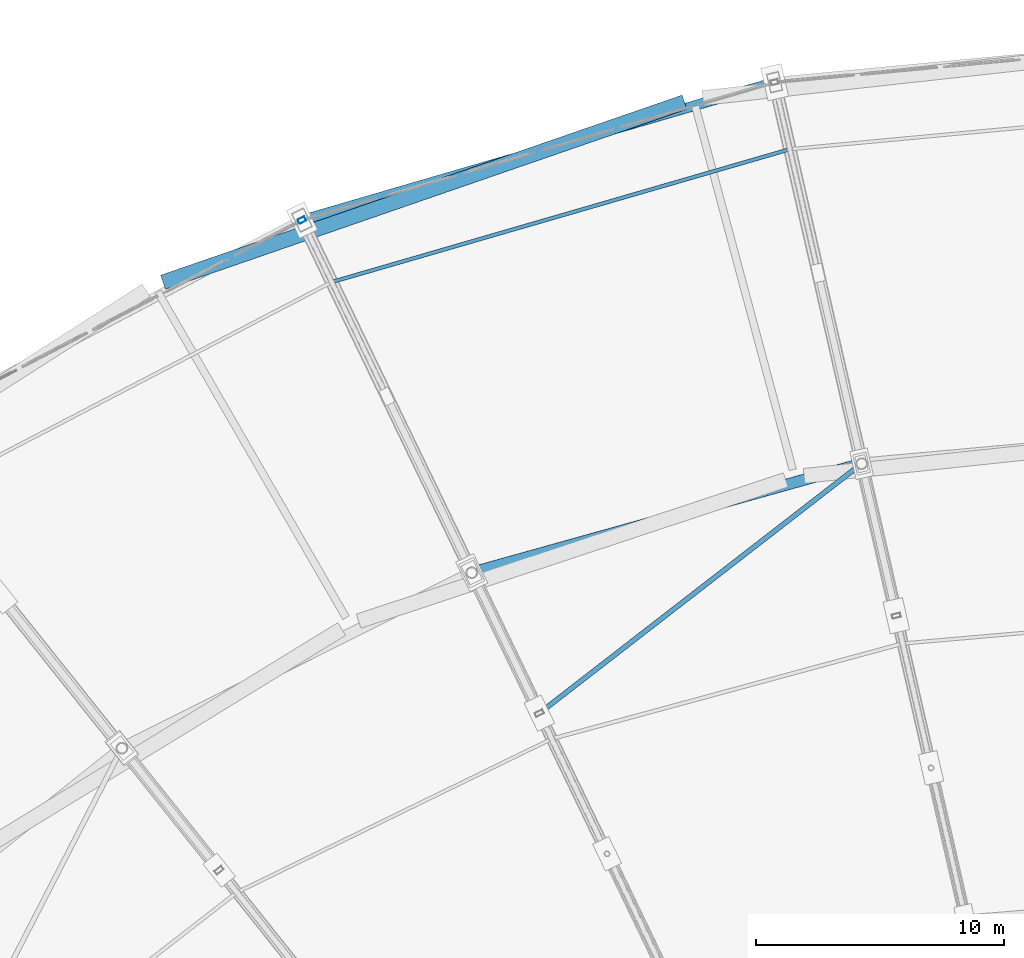
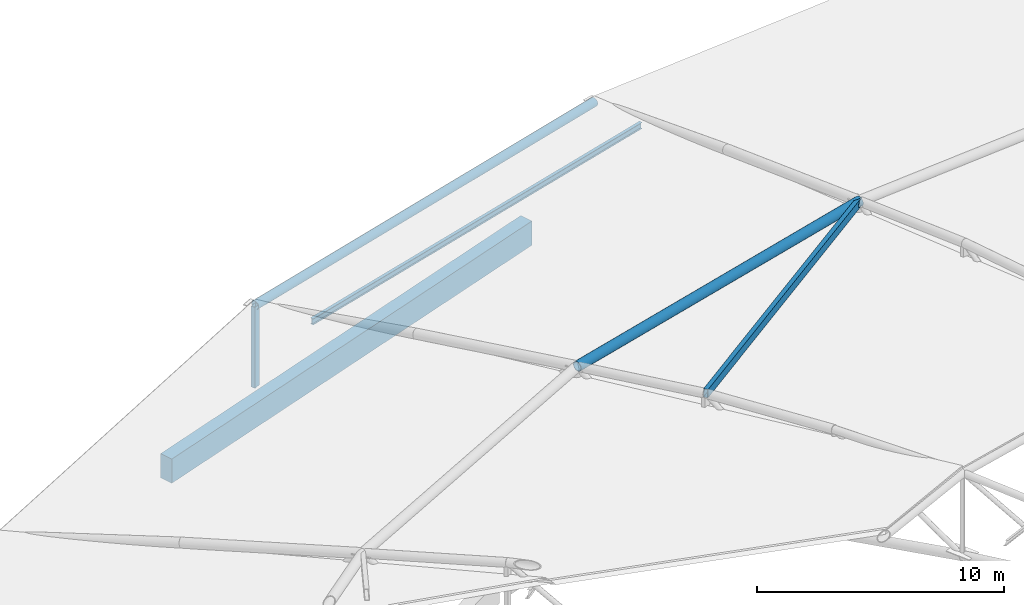
# One storey, part 84 of 108: 5 members, 1 beam.
"""IFC4 building model written with IfcOpenShell, lengths in metres."""

from ifc_helpers import new_model, si_unit, direction, frame, origin, origin_2d, place, context, subcontext, project, spatial, rectangle, hollow_rectangle, hollow_circle, i_section, extrude, material, material_profile, profile_set, type_object, element, save


model = new_model("IFC4")

# Units and contexts
model_context = context("Model", 3, precision=1e-05, world=origin(), true_north=direction((0.0, 1.0)))
body_context = subcontext(model_context, "Body", "Model", "MODEL_VIEW")
ifc_project = project(units=[si_unit("LENGTHUNIT", "METRE"), si_unit("AREAUNIT", "SQUARE_METRE"), si_unit("VOLUMEUNIT", "CUBIC_METRE"), si_unit("PLANEANGLEUNIT", "RADIAN"), si_unit("MASSUNIT", "GRAM", prefix="KILO")], contexts=[model_context])

# Site, building, storey
site_placement = place(None, origin())
site = spatial("IfcSite", under=ifc_project, at=site_placement, CompositionType="ELEMENT")
building_placement = place(site_placement, origin())
building = spatial("IfcBuilding", under=site, at=building_placement, Name="Zevraka Park Crest Stadium", CompositionType="ELEMENT")
storey_placement = place(building_placement, frame((0.0, 0.0, 29.39990234375)))
storey = spatial("IfcBuildingStorey", under=building, at=storey_placement, Name="RF", CompositionType="ELEMENT", Elevation=29.39990234375)

# Member
ifc_material_1 = material(Name="Steel S355", Category="steel")
ifc_material_profile_1 = material_profile(ifc_material_1, i_section(OverallWidth=0.14990234375, OverallDepth=0.300048828125, WebThickness=0.007080078125, FlangeThickness=0.0107421875, at=origin_2d()), Name="IPE 300")
ifc_profile_set_1 = profile_set([ifc_material_profile_1], Name="Steel S355")
member_type_1 = type_object("IfcMemberType", Name="PR02", PredefinedType="PURLIN", material=ifc_profile_set_1)
member_1_placement = place(storey_placement, frame((92.52392578125, 162.7060546875, 4.287109375), z_axis=(-0.960442835387, -0.27847721622, 0.0), x_axis=(0.27847721622, -0.960442835387, 0.0)))
element("IfcMember", 1, at=member_1_placement, inside=storey, type_object=member_type_1, Name="Canopy Roof Purlin PR02 OUTER-09-1", PredefinedType="PURLIN", context=body_context, shape_type="SweptSolid", body=[
    extrude(i_section(OverallWidth=0.14990234375, OverallDepth=0.300048828125, WebThickness=0.007080078125, FlangeThickness=0.0107421875, at=origin_2d()), origin(), (0.0, 0.0, 1.0), 19.261962890625),
])

# Beam
ifc_material_2 = material(Name="Concrete C40/50", Category="concrete")
ifc_material_profile_2 = material_profile(ifc_material_2, rectangle(XDim=0.60009765625, YDim=1.199951171875, at=origin_2d()), Name="RC 1200x600")
ifc_profile_set_2 = profile_set([ifc_material_profile_2], Name="Concrete C40/50")
beam_type = type_object("IfcBeamType", Name="RB01", PredefinedType="BEAM", material=ifc_profile_set_2)
beam_placement = place(storey_placement, frame((88.27001953125, 164.610107421875, -0.599853515625), z_axis=(-0.945210431582, -0.326461697644, 0.0), x_axis=(0.326461697644, -0.945210431582, 0.0)))
element("IfcBeam", 2, at=beam_placement, inside=storey, type_object=beam_type, Name="Ring Beam RB01 RF-D-07", PredefinedType="BEAM", context=body_context, shape_type="SweptSolid", body=[
    extrude(rectangle(XDim=0.60009765625, YDim=1.199951171875, at=origin_2d()), origin(), (0.0, 0.0, 1.0), 22.28173828125),
])

# Members
ifc_material_3 = material(Name="Steel S355", Category="steel")
ifc_material_profile_3 = material_profile(ifc_material_3, hollow_circle(Radius=0.228515625, WallThickness=0.02490234375, at=origin_2d()), Name="CHS 457.0x25")
ifc_profile_set_3 = profile_set([ifc_material_profile_3], Name="Steel S355")
member_type_2 = type_object("IfcMemberType", Name="TC02", PredefinedType="CHORD", material=ifc_profile_set_3)
member_2_placement = place(storey_placement, frame((95.422119140625, 150.008056640625, 7.2001953125), z_axis=(-0.96310300545, -0.269133054255, 0.0), x_axis=(0.269133054255, -0.96310300545, 0.0)))
element("IfcMember", 3, at=member_2_placement, inside=storey, type_object=member_type_2, Name="Roof Main Bowl-Rim Ring Chord TC02 09", PredefinedType="CHORD", context=body_context, shape_type="SweptSolid", body=[
    extrude(hollow_circle(Radius=0.228515625, WallThickness=0.02490234375, at=origin_2d()), origin(), (0.0, 0.0, 1.0), 16.349365234375),
])
ifc_material_4 = material(Name="Steel S355", Category="steel")
ifc_material_profile_4 = material_profile(ifc_material_4, hollow_circle(Radius=0.203125, WallThickness=0.02001953125, at=origin_2d()), Name="CHS 406.4x20")
ifc_profile_set_4 = profile_set([ifc_material_profile_4], Name="Steel S355")
member_type_3 = type_object("IfcMemberType", Name="TC03", PredefinedType="CHORD", material=ifc_profile_set_4)
member_3_placement = place(storey_placement, frame((91.906005859375, 165.412109375, 4.0), z_axis=(-0.959968086518, -0.280109394463, 0.0), x_axis=(0.280109394463, -0.959968086518, 0.0)))
element("IfcMember", 4, at=member_3_placement, inside=storey, type_object=member_type_3, Name="Roof Outer Canopy Ring Chord TC03 09", PredefinedType="CHORD", context=body_context, shape_type="SweptSolid", body=[
    extrude(hollow_circle(Radius=0.203125, WallThickness=0.02001953125, at=origin_2d()), origin(), (0.0, 0.0, 1.0), 19.8818359375),
])
ifc_material_5 = material(Name="Steel S355", Category="steel")
ifc_material_profile_5 = material_profile(ifc_material_5, hollow_rectangle(XDim=0.199951171875, YDim=0.300048828125, WallThickness=0.012451171875, at=origin_2d()), Name="RHS 300x200x12.5")
ifc_profile_set_5 = profile_set([ifc_material_profile_5], Name="Steel S355")
member_type_4 = type_object("IfcMemberType", Name="WB03", PredefinedType="BRACE", material=ifc_profile_set_5)
member_4_placement = place(storey_placement, frame((72.820068359375, 159.843017578125, 0.0), z_axis=(0.0, 0.0, 1.0), x_axis=(-0.43381634559, 0.90100131981, 0.0)))
element("IfcMember", 5, at=member_4_placement, inside=storey, type_object=member_type_4, Name="Roof Truss Anchor Strut WB03 T10-0", PredefinedType="BRACE", context=body_context, shape_type="SweptSolid", body=[
    extrude(hollow_rectangle(XDim=0.199951171875, YDim=0.300048828125, WallThickness=0.012451171875, at=origin_2d()), origin(), (0.0, 0.0, 1.0), 4.0),
])
ifc_material_6 = material(Name="Steel S355", Category="steel")
ifc_material_profile_6 = material_profile(ifc_material_6, hollow_rectangle(XDim=0.199951171875, YDim=0.39990234375, WallThickness=0.01611328125, at=origin_2d()), Name="RHS 400x200x16")
ifc_profile_set_6 = profile_set([ifc_material_profile_6], Name="Steel S355")
member_type_5 = type_object("IfcMemberType", Name="WB06", PredefinedType="BRACE", material=ifc_profile_set_6)
member_5_placement = place(storey_placement, frame((95.422119140625, 150.008056640625, 7.2001953125), z_axis=(-0.788758249123, -0.61073938047, 0.069698160545), x_axis=(0.61222824229, -0.790681085737, 0.0)))
element("IfcMember", 6, at=member_5_placement, inside=storey, type_object=member_type_5, Name="Canopy Roof Wind Brace WB06 09", PredefinedType="BRACE", context=body_context, shape_type="SweptSolid", body=[
    extrude(hollow_rectangle(XDim=0.199951171875, YDim=0.39990234375, WallThickness=0.01611328125, at=origin_2d()), origin(), (0.0, 0.0, 1.0), 16.498291015625),
])

save(model, "model.ifc")
